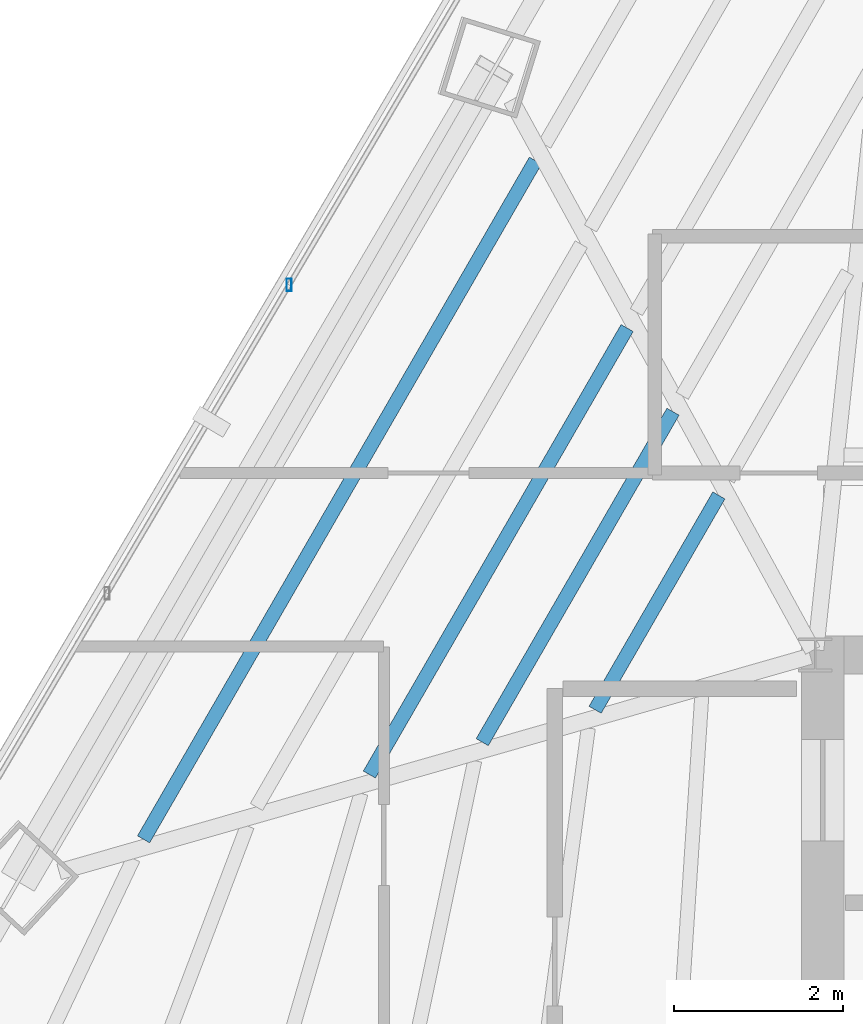
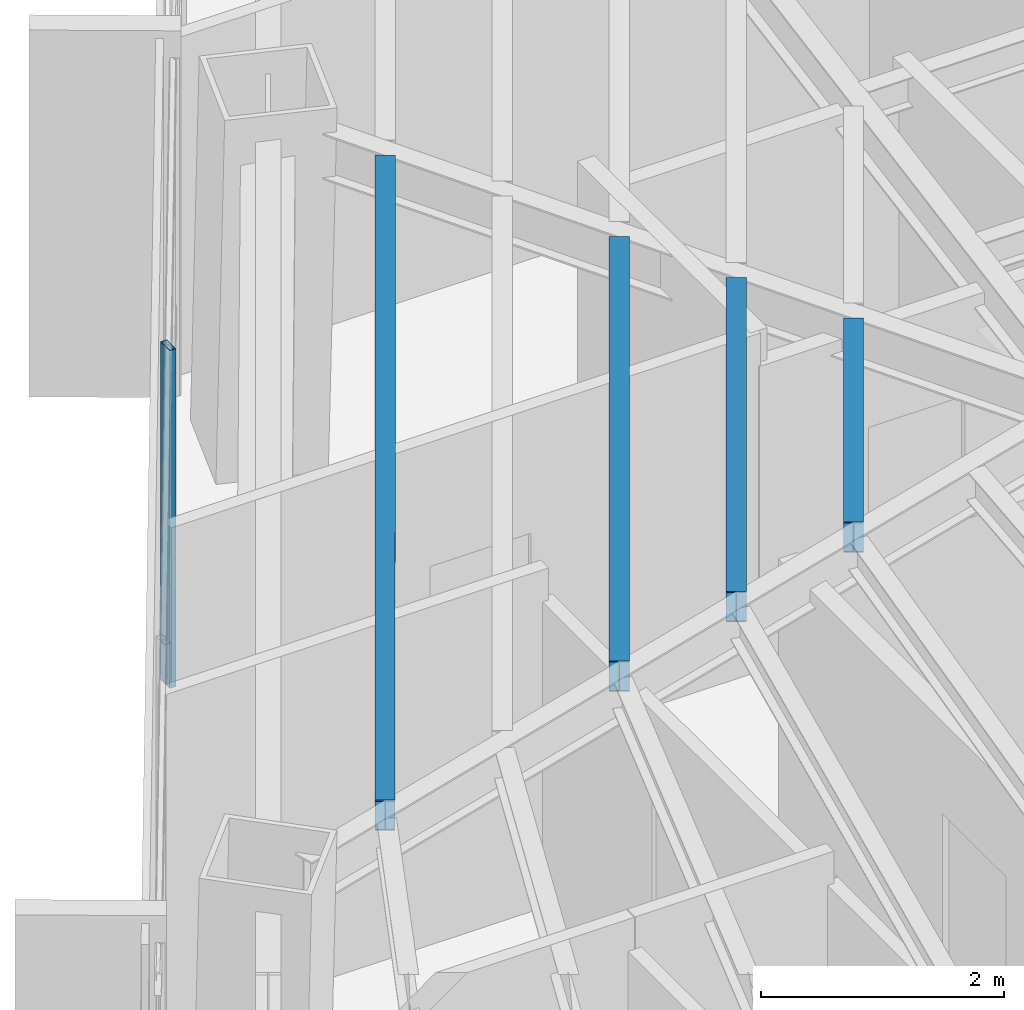
# One storey, part 15 of 41: 4 beams, 1 member, 1 element without a shape of its own.
"""IFC4 building model written with IfcOpenShell, lengths in metres."""

from ifc_helpers import new_model, si_unit, direction, frame, origin, origin_2d, place, context, subcontext, project, spatial, hollow_rectangle, i_section, extrude, source, transform, mapped, material, material_profile, profile_set, type_object, type_shapes, element, aggregate, save


model = new_model("IFC4")

# Units and contexts
model_context = context("Model", 3, precision=1e-05, world=origin(), true_north=direction((0.0, 1.0)))
body_context = subcontext(model_context, "Body", "Model", "MODEL_VIEW")
ifc_project = project(units=[si_unit("LENGTHUNIT", "METRE"), si_unit("AREAUNIT", "SQUARE_METRE"), si_unit("VOLUMEUNIT", "CUBIC_METRE"), si_unit("PLANEANGLEUNIT", "RADIAN"), si_unit("MASSUNIT", "GRAM", prefix="KILO")], contexts=[model_context])

# Site, building, storey
site_placement = place(None, origin())
site = spatial("IfcSite", under=ifc_project, at=site_placement, CompositionType="ELEMENT")
building_placement = place(site_placement, origin())
building = spatial("IfcBuilding", under=site, at=building_placement, Name="Caelisora Broadcast Tower", CompositionType="ELEMENT")
storey_placement = place(building_placement, frame((0.0, 0.0, 173.10009765625)))
storey = spatial("IfcBuildingStorey", under=building, at=storey_placement, Name="L45", CompositionType="ELEMENT", Elevation=173.10009765625)

# Beams
ifc_material_1 = material(Name="Steel Grade 350 (AS/NZS 3679.1)", Category="steel")
ifc_material_profile_1 = material_profile(ifc_material_1, i_section(OverallWidth=0.166015625, OverallDepth=0.30712890625, WebThickness=0.006591796875, FlangeThickness=0.01171875, at=origin_2d()), Name="Steel Grade 350 (AS/NZS 3679.1)")
ifc_profile_set_1 = profile_set([ifc_material_profile_1], Name="Steel Grade 350 (AS/NZS 3679.1)")
beam_type = type_object("IfcBeamType", Name="SB03", PredefinedType="JOIST", material=ifc_profile_set_1)
shared_shape_1 = source(origin(), body_context, "Body", "SweptSolid", [
    extrude(i_section(OverallWidth=0.166015625, OverallDepth=0.30712890625, WebThickness=0.006591796875, FlangeThickness=0.01171875, at=origin_2d()), origin(), (0.0, 0.0, 1.0), 2.926513671875),
])
beam_1_placement = place(storey_placement, frame((29.361083984375, 31.885009765625, 3.246337890625), z_axis=(-0.499970395392, -0.866042495338, 0.0), x_axis=(0.866042495338, -0.499970395392, 0.0)))
element("IfcBeam", 1, at=beam_1_placement, inside=storey, type_object=beam_type, Name="L45 beam SB03", PredefinedType="JOIST", context=body_context, shape_type="MappedRepresentation", body=[
    mapped(shared_shape_1, transform((0.0, 0.0, 0.0), scale=1.0)),
])
shared_shape_2 = source(origin(), body_context, "Body", "SweptSolid", [
    extrude(i_section(OverallWidth=0.166015625, OverallDepth=0.30712890625, WebThickness=0.006591796875, FlangeThickness=0.01171875, at=origin_2d()), origin(), (0.0, 0.0, 1.0), 4.511474609375),
])
beam_2_placement = place(storey_placement, frame((28.81884765625, 32.87451171875, 3.246337890625), z_axis=(-0.499986347947, -0.866033285658, 0.0), x_axis=(0.866033285658, -0.499986347947, 0.0)))
element("IfcBeam", 2, at=beam_2_placement, inside=storey, type_object=beam_type, Name="L45 beam SB03", PredefinedType="JOIST", context=body_context, shape_type="MappedRepresentation", body=[
    mapped(shared_shape_2, transform((0.0, 0.0, 0.0), scale=1.0)),
])
shared_shape_3 = source(origin(), body_context, "Body", "SweptSolid", [
    extrude(i_section(OverallWidth=0.166015625, OverallDepth=0.30712890625, WebThickness=0.006591796875, FlangeThickness=0.01171875, at=origin_2d()), origin(), (0.0, 0.0, 1.0), 6.09619140625),
])
beam_3_placement = place(storey_placement, frame((28.276611328125, 33.864013671875, 3.246337890625), z_axis=(-0.49999400573, -0.86602886455, 0.0), x_axis=(0.86602886455, -0.49999400573, 0.0)))
element("IfcBeam", 3, at=beam_3_placement, inside=storey, type_object=beam_type, Name="L45 beam SB03", PredefinedType="JOIST", context=body_context, shape_type="MappedRepresentation", body=[
    mapped(shared_shape_3, transform((0.0, 0.0, 0.0), scale=1.0)),
])
shared_shape_4 = source(origin(), body_context, "Body", "SweptSolid", [
    extrude(i_section(OverallWidth=0.166015625, OverallDepth=0.30712890625, WebThickness=0.006591796875, FlangeThickness=0.01171875, at=origin_2d()), origin(), (0.0, 0.0, 1.0), 9.265869140625),
])
type_shapes(beam_type, [shared_shape_1, shared_shape_2, shared_shape_3, shared_shape_4])
beam_4_placement = place(storey_placement, frame((27.192138671875, 35.843017578125, 3.246337890625), z_axis=(-0.500012871494, -0.866017972296, 0.0), x_axis=(0.866017972296, -0.500012871494, 0.0)))
element("IfcBeam", 4, at=beam_4_placement, inside=storey, type_object=beam_type, Name="L45 beam SB03", PredefinedType="JOIST", context=body_context, shape_type="MappedRepresentation", body=[
    mapped(shared_shape_4, transform((0.0, 0.0, 0.0), scale=1.0)),
])

# Curtain wall, member
ifc_material_2 = material(Name="Unitised Aluminium Insulated Shadow-Box Spandrel Curtain Wall", Category="aluminium")
curtain_wall_type = type_object("IfcCurtainWallType", Name="CW-SP2", PredefinedType="NOTDEFINED", material=ifc_material_2)
curtain_wall_placement = place(storey_placement, origin())
curtain_wall = element("IfcCurtainWall", 5, at=curtain_wall_placement, inside=storey, type_object=curtain_wall_type, Name="L45 curtain wall CW-SP2", PredefinedType="NOTDEFINED")
ifc_material_3 = material(Name="Aluminium 6063-T6 Anodised Terracotta Bronze", Category="aluminium")
ifc_material_profile_2 = material_profile(ifc_material_3, hollow_rectangle(XDim=0.06005859375, YDim=0.14990234375, WallThickness=0.00341796875, at=origin_2d()), Name="Aluminium 6063-T6 Anodised Terracotta Bronze")
ifc_profile_set_2 = profile_set([ifc_material_profile_2], Name="Aluminium 6063-T6 Anodised Terracotta Bronze")
member_type = type_object("IfcMemberType", Name="CWM-03", PredefinedType="MULLION", material=ifc_profile_set_2)
shared_shape_5 = source(origin(), body_context, "Body", "SweptSolid", [
    extrude(hollow_rectangle(XDim=0.06005859375, YDim=0.14990234375, WallThickness=0.00341796875, at=origin_2d()), origin(), (0.0, 0.0, 1.0), 3.39990234375),
])
type_shapes(member_type, [shared_shape_5])
member_placement = place(storey_placement, frame((24.280029296875, 34.37353515625, 0.0), z_axis=(0.0, 0.0, 1.0), x_axis=(1.0, 0.0, 0.0)))
member = element("IfcMember", 6, at=member_placement, type_object=member_type, Name="L45-CW-B10 mullion #2", PredefinedType="MULLION", context=body_context, shape_type="MappedRepresentation", body=[
    mapped(shared_shape_5, transform((0.0, 0.0, 0.0), scale=1.0)),
])
aggregate(curtain_wall, [member])

save(model, "model.ifc")
